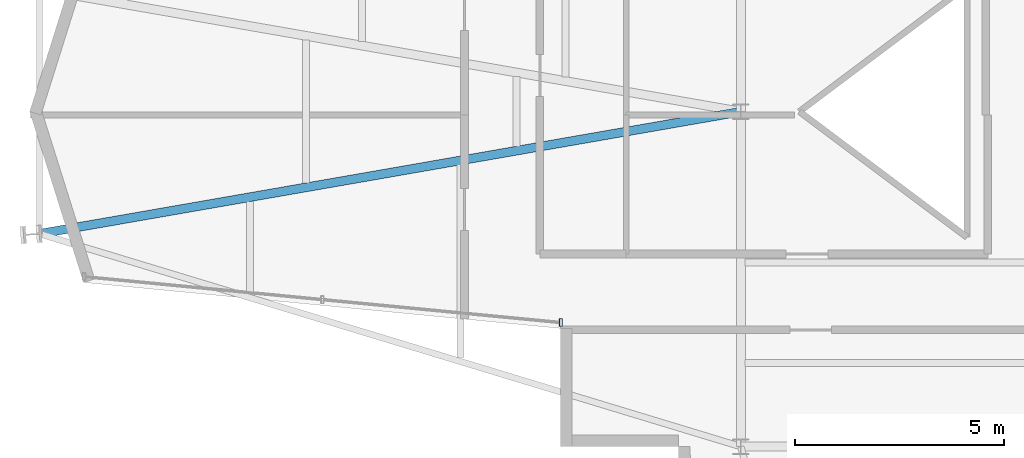
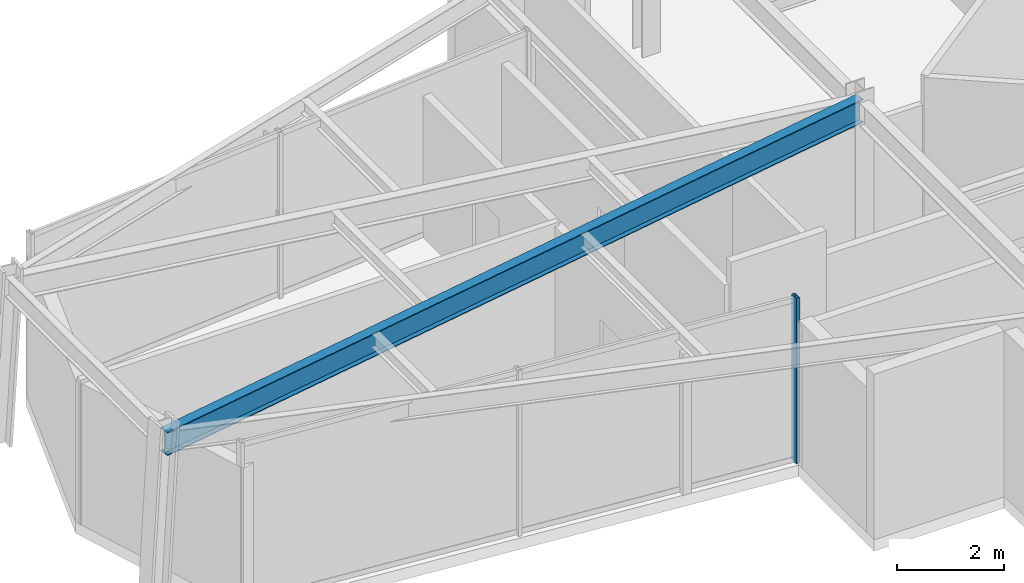
# One storey, part 4 of 21: 1 beam, 1 member, 1 element without a shape of its own.
"""IFC4 building model written with IfcOpenShell, lengths in metres."""

from ifc_helpers import new_model, si_unit, direction, frame, origin, origin_2d, place, context, subcontext, project, spatial, hollow_rectangle, i_section, extrude, material, layer, layer_set, material_profile, profile_set, type_object, element, aggregate, save


model = new_model("IFC4")

# Units and contexts
model_context = context("Model", 3, precision=1e-05, world=origin(), true_north=direction((0.0, 1.0)))
body_context = subcontext(model_context, "Body", "Model", "MODEL_VIEW")
ifc_project = project(units=[si_unit("LENGTHUNIT", "METRE"), si_unit("AREAUNIT", "SQUARE_METRE"), si_unit("VOLUMEUNIT", "CUBIC_METRE"), si_unit("PLANEANGLEUNIT", "RADIAN"), si_unit("MASSUNIT", "GRAM", prefix="KILO")], contexts=[model_context])

# Site, building, storey
site_placement = place(None, origin())
site = spatial("IfcSite", under=ifc_project, at=site_placement, CompositionType="ELEMENT")
building_placement = place(site_placement, origin())
building = spatial("IfcBuilding", under=site, at=building_placement, Name="Veymaron Broadcast Tower", CompositionType="ELEMENT")
storey_placement = place(building_placement, frame((0.0, 0.0, 240.449951171875)))
storey = spatial("IfcBuildingStorey", under=building, at=storey_placement, Name="L56", CompositionType="ELEMENT", Elevation=240.449951171875)

# Beam
ifc_material_1 = material(Name="Structural steel ASTM A992 Gr 50", Category="steel")
ifc_material_profile_1 = material_profile(ifc_material_1, i_section(OverallWidth=0.2099609375, OverallDepth=0.537109375, WebThickness=0.010986328125, FlangeThickness=0.017333984375, at=origin_2d()), Name="W530X101")
ifc_profile_set_1 = profile_set([ifc_material_profile_1], Name="Structural steel ASTM A992 Gr 50")
beam_type = type_object("IfcBeamType", Name="BM-FG3", PredefinedType="BEAM", material=ifc_profile_set_1)
beam_placement = place(storey_placement, frame((14.45166015625, 21.08203125, 3.521484375), z_axis=(0.985159853001, 0.171639342911, 0.0), x_axis=(-0.171639342911, 0.985159853001, 0.0)))
element("IfcBeam", 1, at=beam_placement, inside=storey, type_object=beam_type, Name="L56 primary structural floor girder", PredefinedType="BEAM", context=body_context, shape_type="SweptSolid", body=[
    extrude(i_section(OverallWidth=0.2099609375, OverallDepth=0.537109375, WebThickness=0.010986328125, FlangeThickness=0.017333984375, at=origin_2d()), origin(), (0.0, 0.0, 1.0), 17.00048828125),
])

# Curtain wall, member
ifc_material_2 = material(Name="Anodised aluminium AA 6063-T6 and laminated low-E dark glass", Category="aluminium")
ifc_layer = layer(ifc_material_2, 0.179931640625)
ifc_layer_set = layer_set([ifc_layer], Name="Anodised aluminium AA 6063-T6 and laminated low-E dark glass")
curtain_wall_type = type_object("IfcCurtainWallType", Name="CW-SYS-05", PredefinedType="NOTDEFINED", material=ifc_layer_set)
curtain_wall_placement = place(storey_placement, origin())
curtain_wall = element("IfcCurtainWall", 2, at=curtain_wall_placement, inside=storey, type_object=curtain_wall_type, Name="L56 dark-glass curtain wall CW-L56-E16-1", PredefinedType="NOTDEFINED")
ifc_material_3 = material(Name="Anodised aluminium AA 6063-T6", Category="aluminium")
ifc_material_profile_2 = material_profile(ifc_material_3, hollow_rectangle(XDim=0.074951171875, YDim=0.179931640625, WallThickness=0.0048828125, at=origin_2d()), Name="AL180X75X5")
ifc_profile_set_2 = profile_set([ifc_material_profile_2], Name="Anodised aluminium AA 6063-T6")
member_type = type_object("IfcMemberType", Name="CW-MUL-02", PredefinedType="MULLION", material=ifc_profile_set_2)
member_placement = place(storey_placement, frame((26.9013671875, 18.962890625, 0.0), z_axis=(0.0, 0.0, 1.0), x_axis=(1.0, 0.0, 0.0)))
member = element("IfcMember", 3, at=member_placement, type_object=member_type, Name="CW-L56-E16-1 mullion 2", PredefinedType="MULLION", context=body_context, shape_type="SweptSolid", body=[
    extrude(hollow_rectangle(XDim=0.074951171875, YDim=0.179931640625, WallThickness=0.0048828125, at=origin_2d()), origin(), (0.0, 0.0, 1.0), 3.7900390625),
])
aggregate(curtain_wall, [member])

save(model, "model.ifc")
